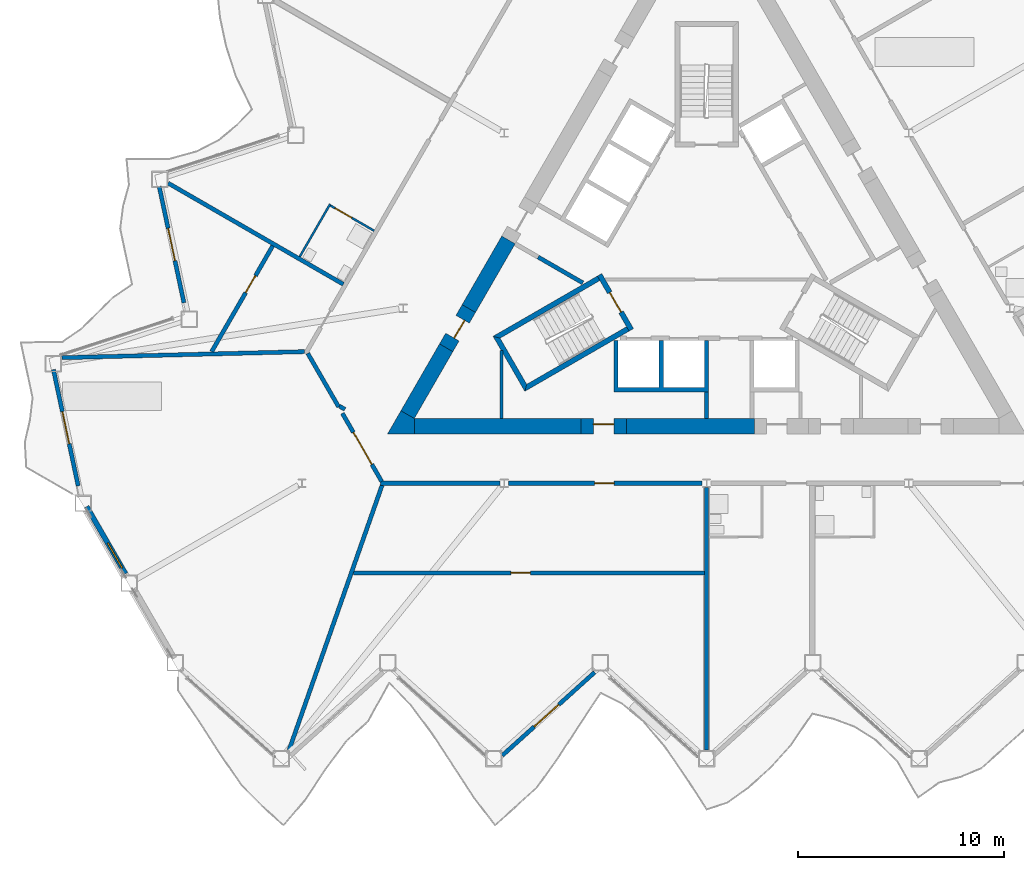
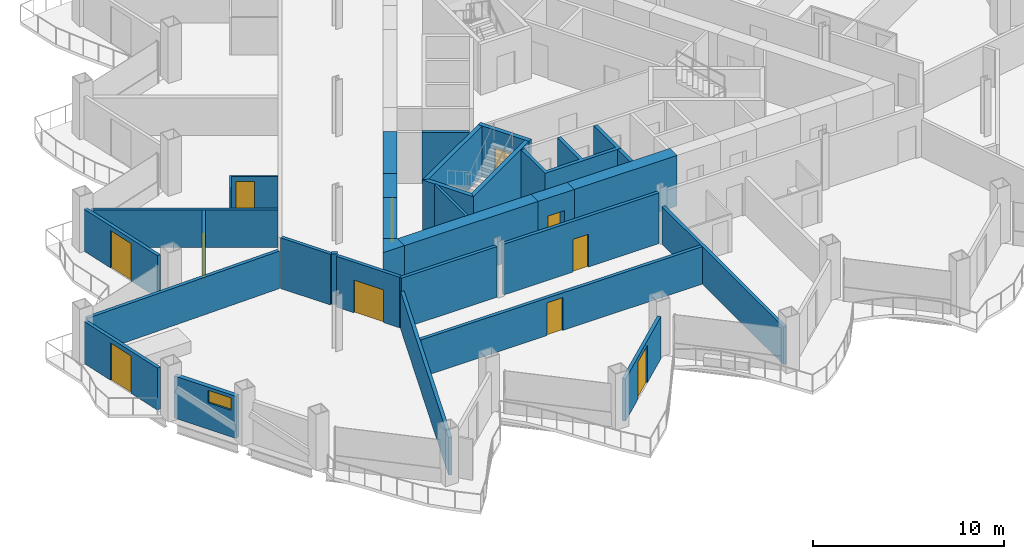
# One storey, part 10 of 22: 32 walls, 11 doors, 1 window, 12 openings.
"""IFC4 building model written with IfcOpenShell, lengths in metres."""

from ifc_helpers import new_model, si_unit, direction, frame, frame_2d, origin, place, context, subcontext, project, spatial, polyline, rectangle, outline, extrude, material, layer, layer_set, type_object, element, fill, save


model = new_model("IFC4")

# Units and contexts
model_context = context("Model", 3, precision=1e-05, world=origin(), true_north=direction((0.0, 1.0)))
body_context = subcontext(model_context, "Body", "Model", "MODEL_VIEW")
ifc_project = project(units=[si_unit("LENGTHUNIT", "METRE"), si_unit("AREAUNIT", "SQUARE_METRE"), si_unit("VOLUMEUNIT", "CUBIC_METRE"), si_unit("PLANEANGLEUNIT", "RADIAN"), si_unit("MASSUNIT", "GRAM", prefix="KILO")], contexts=[model_context])

# Site, building, storey
site_placement = place(None, origin())
site = spatial("IfcSite", under=ifc_project, at=site_placement, CompositionType="ELEMENT")
building_placement = place(site_placement, origin())
building = spatial("IfcBuilding", under=site, at=building_placement, Name="Cormorant Prow Tower", CompositionType="ELEMENT")
storey_placement = place(building_placement, frame((0.0, 0.0, 194.39990234375)))
storey = spatial("IfcBuildingStorey", under=building, at=storey_placement, Name="L42", CompositionType="ELEMENT", Elevation=194.39990234375)

# Walls
ifc_material_1 = material(Name="Gypsum board partition")
ifc_layer_1 = layer(ifc_material_1, 0.14990234375)
ifc_layer_set_1 = layer_set([ifc_layer_1], Name="Gypsum board partition")
wall_type_1 = type_object("IfcWallType", Name="Core partition 150", PredefinedType="PARTITIONING", material=ifc_layer_set_1)
wall_1_placement = place(storey_placement, frame((-9.970703125, -8.198974609375, 0.0), z_axis=(0.0, 0.0, 1.0), x_axis=(0.0, 1.0, 0.0)))
element("IfcWall", 1, at=wall_1_placement, inside=storey, type_object=wall_type_1, Name="Service room partition", PredefinedType="PARTITIONING", context=body_context, shape_type="SweptSolid", body=[
    extrude(rectangle(XDim=3.304931640625, YDim=0.14990234375, at=frame_2d((1.65234375, 0.0))), origin(), (0.0, 0.0, 1.0), 3.25),
])
ifc_material_2 = material(Name="Concrete 8000 psi", Category="concrete")
ifc_layer_2 = layer(ifc_material_2, 0.75)
ifc_layer_set_2 = layer_set([ifc_layer_2], Name="Concrete 8000 psi")
wall_type_2 = type_object("IfcWallType", Name="Core shear wall 750", PredefinedType="SHEAR", material=ifc_layer_set_2)
wall_2_placement = place(storey_placement, frame((-14.200927734375, -8.573974609375, 0.0), z_axis=(0.0, 0.0, 1.0), x_axis=(1.0, 0.0, 0.0)))
element("IfcWall", 2, at=wall_2_placement, inside=storey, type_object=wall_type_2, Name="Core wall", PredefinedType="SHEAR", context=body_context, shape_type="SweptSolid", body=[
    extrude(rectangle(XDim=8.10302734375, YDim=0.75, at=frame_2d((4.051513671875, 0.0))), origin(), (0.0, 0.0, 1.0), 3.25),
])
wall_3_placement = place(storey_placement, frame((-3.897705078125, -8.573974609375, 0.0), z_axis=(0.0, 0.0, 1.0), x_axis=(1.0, 0.0, 0.0)))
element("IfcWall", 3, at=wall_3_placement, inside=storey, type_object=wall_type_2, Name="Core wall", PredefinedType="SHEAR", context=body_context, shape_type="SweptSolid", body=[
    extrude(rectangle(XDim=6.2177734375, YDim=0.75, at=frame_2d((3.10888671875, 0.0))), origin(), (0.0, 0.0, 1.0), 3.25),
])
wall_4_placement = place(storey_placement, frame((-9.625244140625, 0.4765625, 0.0), z_axis=(0.0, 0.0, 1.0), x_axis=(-0.499951145694, -0.866053607994, 0.0)))
element("IfcWall", 4, at=wall_4_placement, inside=storey, type_object=wall_type_2, Name="Core wall", PredefinedType="SHEAR", context=body_context, shape_type="SweptSolid", body=[
    extrude(rectangle(XDim=3.8505859375, YDim=0.75, at=frame_2d((1.92529296875, 0.0))), origin(), (0.0, 0.0, 1.0), 3.25),
])
wall_5_placement = place(storey_placement, frame((-12.650390625, -4.763427734375, 0.0), z_axis=(0.0, 0.0, 1.0), x_axis=(-0.499996681051, -0.866027319972, 0.0)))
element("IfcWall", 5, at=wall_5_placement, inside=storey, type_object=wall_type_2, Name="Core wall", PredefinedType="SHEAR", context=body_context, shape_type="SweptSolid", body=[
    extrude(rectangle(XDim=3.75048828125, YDim=0.75, at=frame_2d((1.875244140625, 0.0))), origin(), (0.0, 0.0, 1.0), 3.25),
])
wall_6_placement = place(storey_placement, origin())
element("IfcWall", 6, at=wall_6_placement, inside=storey, type_object=wall_type_2, Name="Core wall corner", PredefinedType="SHEAR", context=body_context, shape_type="SweptSolid", body=[
    extrude(outline(polyline([(-14.8505859375, -7.823974609375), (-14.200927734375, -8.198974609375), (-14.200927734375, -8.948974609375), (-15.5, -8.948974609375), (-14.8505859375, -7.823974609375)])), origin(), (0.0, 0.0, 1.0), 3.25),
])

# Wall, opening, door
wall_7_placement = place(storey_placement, frame((-6.097900390625, -8.573974609375, 0.0), z_axis=(0.0, 0.0, 1.0), x_axis=(1.0, 0.0, 0.0)))
wall_7 = element("IfcWall", 7, at=wall_7_placement, inside=storey, type_object=wall_type_2, Name="Core wall door panel", PredefinedType="SHEAR", context=body_context, shape_type="SweptSolid", body=[
    extrude(rectangle(XDim=2.2001953125, YDim=0.75, at=frame_2d((1.10009765625, 0.0))), origin(), (0.0, 0.0, 1.0), 3.25),
])
opening_1_placement = place(wall_7_placement, frame((0.60009765625, 0.0, 0.0)))
opening_1 = element("IfcOpeningElement", 8, at=opening_1_placement, cuts=wall_7, Name="Opening L42-C14", PredefinedType="OPENING", context=body_context, shape_type="SweptSolid", body=[
    extrude(rectangle(XDim=1.0, YDim=2.10009765625, at=frame_2d((0.5, 1.050048828125))), frame((0.0, 0.385009765625, 0.0), z_axis=(0.0, -1.0, 0.0), x_axis=(1.0, 0.0, 0.0)), (0.0, 0.0, 1.0), 0.77001953125),
])
ifc_material_3 = material(Name="Painted steel", Category="steel")
door_type_1 = type_object("IfcDoorType", Name="Service door 1000x2100", OperationType="NOTDEFINED", PredefinedType="DOOR", material=ifc_material_3)
door_1_placement = place(opening_1_placement, origin())
door_1 = element("IfcDoor", 9, at=door_1_placement, inside=storey, type_object=door_type_1, Name="Core door, Pantry store", OperationType="SINGLE_SWING_LEFT", OverallHeight=2.10009765625, OverallWidth=1.0, PredefinedType="DOOR", context=body_context, shape_type="SweptSolid", body=[
    extrude(rectangle(XDim=1.0, YDim=2.10009765625, at=frame_2d((0.5, 1.050048828125))), frame((0.0, 0.1298828125, 0.0), z_axis=(0.0, -1.0, 0.0), x_axis=(1.0, 0.0, 0.0)), (0.0, 0.0, 1.0), 0.050048828125),
])
fill(opening_1, door_1)

wall_8_placement = place(storey_placement, frame((-11.550537109375, -2.858154296875, 0.0), z_axis=(0.0, 0.0, 1.0), x_axis=(-0.499946605688, -0.86605622881, 0.0)))
wall_8 = element("IfcWall", 10, at=wall_8_placement, inside=storey, type_object=wall_type_2, Name="Core wall door panel", PredefinedType="SHEAR", context=body_context, shape_type="SweptSolid", body=[
    extrude(rectangle(XDim=2.199951171875, YDim=0.75, at=frame_2d((1.10009765625, 0.0))), origin(), (0.0, 0.0, 1.0), 3.25),
])
opening_2_placement = place(wall_8_placement, frame((0.60009765625, 0.0, 0.0)))
opening_2 = element("IfcOpeningElement", 11, at=opening_2_placement, cuts=wall_8, Name="Opening L42-C17", PredefinedType="OPENING", context=body_context, shape_type="SweptSolid", body=[
    extrude(rectangle(XDim=1.0, YDim=2.10009765625, at=frame_2d((0.5, 1.050048828125))), frame((0.0, 0.385009765625, 0.0), z_axis=(0.0, -1.0, 0.0), x_axis=(1.0, 0.0, 0.0)), (0.0, 0.0, 1.0), 0.77001953125),
])
door_2_placement = place(opening_2_placement, origin())
door_2 = element("IfcDoor", 12, at=door_2_placement, inside=storey, type_object=door_type_1, Name="Core door, Telecom room", OperationType="SINGLE_SWING_LEFT", OverallHeight=2.10009765625, OverallWidth=1.0, PredefinedType="DOOR", context=body_context, shape_type="SweptSolid", body=[
    extrude(rectangle(XDim=1.0, YDim=2.10009765625, at=frame_2d((0.5, 1.050048828125))), frame((0.0, 0.1298828125, 0.0), z_axis=(0.0, -1.0, 0.0), x_axis=(1.0, 0.0, 0.0)), (0.0, 0.0, 1.0), 0.050048828125),
])
fill(opening_2, door_2)

ifc_material_4 = material(Name="Gypsum board corridor wall")
ifc_layer_3 = layer(ifc_material_4, 0.199951171875)
ifc_layer_set_3 = layer_set([ifc_layer_3], Name="Gypsum board corridor wall")
wall_type_3 = type_object("IfcWallType", Name="Corridor wall 200", PredefinedType="PARTITIONING", material=ifc_layer_set_3)
wall_9_placement = place(storey_placement, frame((-9.61474609375, -11.348876953125, 0.0), z_axis=(0.0, 0.0, 1.0), x_axis=(1.0, 0.0, 0.0)))
wall_9 = element("IfcWall", 13, at=wall_9_placement, inside=storey, type_object=wall_type_3, Name="Corridor wall", PredefinedType="PARTITIONING", context=body_context, shape_type="SweptSolid", body=[
    extrude(rectangle(XDim=9.401123046875, YDim=0.199951171875, at=frame_2d((4.70068359375, 0.0))), origin(), (0.0, 0.0, 1.0), 3.25),
])
opening_3_placement = place(wall_9_placement, frame((4.17529296875, 0.0, 0.0)))
opening_3 = element("IfcOpeningElement", 14, at=opening_3_placement, cuts=wall_9, Name="Opening L42-F01", PredefinedType="OPENING", context=body_context, shape_type="SweptSolid", body=[
    extrude(rectangle(XDim=0.949951171875, YDim=2.10009765625, at=frame_2d((0.47509765625, 1.050048828125))), frame((0.0, 0.10986328125, 0.0), z_axis=(0.0, -1.0, 0.0), x_axis=(1.0, 0.0, 0.0)), (0.0, 0.0, 1.0), 0.219970703125),
])
ifc_material_5 = material(Name="Timber door leaf", Category="wood")
door_type_2 = type_object("IfcDoorType", Name="Store door 950x2100", OperationType="NOTDEFINED", PredefinedType="DOOR", material=ifc_material_5)
door_3_placement = place(opening_3_placement, origin())
door_3 = element("IfcDoor", 15, at=door_3_placement, inside=storey, type_object=door_type_2, Name="Housekeeping room door", OperationType="SINGLE_SWING_LEFT", OverallHeight=2.10009765625, OverallWidth=0.949951171875, PredefinedType="DOOR", context=body_context, shape_type="SweptSolid", body=[
    extrude(rectangle(XDim=0.949951171875, YDim=2.10009765625, at=frame_2d((0.47509765625, 1.050048828125))), frame((0.0, 0.02490234375, 0.0), z_axis=(0.0, -1.0, 0.0), x_axis=(1.0, 0.0, 0.0)), (0.0, 0.0, 1.0), 0.050048828125),
])
fill(opening_3, door_3)

# Wall
wall_10_placement = place(storey_placement, frame((-15.830810546875, -11.348876953125, 0.0), z_axis=(0.0, 0.0, 1.0), x_axis=(1.0, 0.0, 0.0)))
element("IfcWall", 16, at=wall_10_placement, inside=storey, type_object=wall_type_3, Name="Corridor wall", PredefinedType="PARTITIONING", context=body_context, shape_type="SweptSolid", body=[
    extrude(rectangle(XDim=5.78857421875, YDim=0.199951171875, at=frame_2d((2.894287109375, 0.0))), origin(), (0.0, 0.0, 1.0), 3.25),
])

# Wall, opening, door
wall_11_placement = place(storey_placement, frame((-17.69384765625, -7.948974609375, 0.0), z_axis=(0.0, 0.0, 1.0), x_axis=(0.499989446428, -0.866031496806, 0.0)))
wall_11 = element("IfcWall", 17, at=wall_11_placement, inside=storey, type_object=wall_type_3, Name="Corridor wall", PredefinedType="PARTITIONING", context=body_context, shape_type="SweptSolid", body=[
    extrude(rectangle(XDim=3.82568359375, YDim=0.199951171875, at=frame_2d((1.912841796875, 0.0))), origin(), (0.0, 0.0, 1.0), 3.25),
])
opening_4_placement = place(wall_11_placement, frame((1.06396484375, 0.0, 0.0)))
opening_4 = element("IfcOpeningElement", 18, at=opening_4_placement, cuts=wall_11, Name="Opening L42-F28", PredefinedType="OPENING", context=body_context, shape_type="SweptSolid", body=[
    extrude(rectangle(XDim=1.800048828125, YDim=2.10009765625, at=frame_2d((0.89990234375, 1.050048828125))), frame((0.0, 0.10986328125, 0.0), z_axis=(0.0, -1.0, 0.0), x_axis=(1.0, 0.0, 0.0)), (0.0, 0.0, 1.0), 0.219970703125),
])
ifc_material_6 = material(Name="Timber door leaf", Category="wood")
door_type_3 = type_object("IfcDoorType", Name="Double door 1800x2100", OperationType="DOUBLE_DOOR_SINGLE_SWING", PredefinedType="DOOR", material=ifc_material_6)
door_4_placement = place(opening_4_placement, origin())
door_4 = element("IfcDoor", 19, at=door_4_placement, inside=storey, type_object=door_type_3, Name="Co-working space door", OperationType="DOUBLE_DOOR_SINGLE_SWING", OverallHeight=2.10009765625, OverallWidth=1.800048828125, PredefinedType="DOOR", context=body_context, shape_type="SweptSolid", body=[
    extrude(rectangle(XDim=1.800048828125, YDim=2.10009765625, at=frame_2d((0.89990234375, 1.050048828125))), frame((0.0, 0.02490234375, 0.0), z_axis=(0.0, -1.0, 0.0), x_axis=(1.0, 0.0, 0.0)), (0.0, 0.0, 1.0), 0.050048828125),
])
fill(opening_4, door_4)

# Walls
wall_12_placement = place(storey_placement, frame((-19.3759765625, -5.035400390625, 0.0), z_axis=(0.0, 0.0, 1.0), x_axis=(0.499952404951, -0.866052881055, 0.0)))
element("IfcWall", 20, at=wall_12_placement, inside=storey, type_object=wall_type_3, Name="Corridor wall", PredefinedType="PARTITIONING", context=body_context, shape_type="SweptSolid", body=[
    extrude(rectangle(XDim=3.002197265625, YDim=0.199951171875, at=frame_2d((1.5009765625, 0.0))), origin(), (0.0, 0.0, 1.0), 3.25),
])
wall_13_placement = place(storey_placement, frame((-17.83837890625, -7.598876953125, 0.0), z_axis=(0.0, 0.0, 1.0), x_axis=(0.866054481515, -0.499949632511, 0.0)))
element("IfcWall", 21, at=wall_13_placement, inside=storey, type_object=wall_type_3, Name="Corridor wall", PredefinedType="PARTITIONING", context=body_context, shape_type="SweptSolid", body=[
    extrude(rectangle(XDim=0.31005859375, YDim=0.199951171875, at=frame_2d((0.155029296875, 0.0))), origin(), (0.0, 0.0, 1.0), 3.25),
])

# Wall, opening, door
ifc_material_7 = material(Name="Gypsum board demising wall")
ifc_layer_4 = layer(ifc_material_7, 0.199951171875)
ifc_layer_set_4 = layer_set([ifc_layer_4], Name="Gypsum board demising wall")
wall_type_4 = type_object("IfcWallType", Name="Demising wall 200", PredefinedType="PARTITIONING", material=ifc_layer_set_4)
wall_14_placement = place(storey_placement, frame((-17.1591796875, -15.698974609375, 0.0), z_axis=(0.0, 0.0, 1.0), x_axis=(1.0, 0.0, 0.0)))
wall_14 = element("IfcWall", 22, at=wall_14_placement, inside=storey, type_object=wall_type_4, Name="Demising wall", PredefinedType="PARTITIONING", context=body_context, shape_type="SweptSolid", body=[
    extrude(rectangle(XDim=17.05908203125, YDim=0.199951171875, at=frame_2d((8.529541015625, 0.0))), origin(), (0.0, 0.0, 1.0), 2.404296875),
])
opening_5_placement = place(wall_14_placement, frame((7.654541015625, 0.0, 0.0)))
opening_5 = element("IfcOpeningElement", 23, at=opening_5_placement, cuts=wall_14, Name="Opening L42-F02", PredefinedType="OPENING", context=body_context, shape_type="SweptSolid", body=[
    extrude(rectangle(XDim=0.949951171875, YDim=2.10009765625, at=frame_2d((0.47509765625, 1.050048828125))), frame((0.0, 0.10986328125, 0.0), z_axis=(0.0, -1.0, 0.0), x_axis=(1.0, 0.0, 0.0)), (0.0, 0.0, 1.0), 0.219970703125),
])
door_5_placement = place(opening_5_placement, origin())
door_5 = element("IfcDoor", 24, at=door_5_placement, inside=storey, type_object=door_type_2, Name="Linen store door", OperationType="SINGLE_SWING_LEFT", OverallHeight=2.10009765625, OverallWidth=0.949951171875, PredefinedType="DOOR", context=body_context, shape_type="SweptSolid", body=[
    extrude(rectangle(XDim=0.949951171875, YDim=2.10009765625, at=frame_2d((0.47509765625, 1.050048828125))), frame((0.0, 0.02490234375, 0.0), z_axis=(0.0, -1.0, 0.0), x_axis=(1.0, 0.0, 0.0)), (0.0, 0.0, 1.0), 0.050048828125),
])
fill(opening_5, door_5)

# Walls
wall_15_placement = place(storey_placement, frame((-20.28564453125, -24.3115234375, 0.0), z_axis=(0.0, 0.0, 1.0), x_axis=(0.331517429591, 0.943449094481, 0.0)))
element("IfcWall", 25, at=wall_15_placement, inside=storey, type_object=wall_type_4, Name="Demising wall", PredefinedType="PARTITIONING", context=body_context, shape_type="SweptSolid", body=[
    extrude(rectangle(XDim=13.639404296875, YDim=0.199951171875, at=frame_2d((6.81982421875, 0.0))), origin(), (0.0, 0.0, 1.0), 2.404296875),
])
wall_16_placement = place(storey_placement, frame((0.0, -24.3115234375, 0.0), z_axis=(0.0, 0.0, 1.0), x_axis=(0.0, 1.0, 0.0)))
element("IfcWall", 26, at=wall_16_placement, inside=storey, type_object=wall_type_4, Name="Demising wall", PredefinedType="PARTITIONING", context=body_context, shape_type="SweptSolid", body=[
    extrude(rectangle(XDim=12.7490234375, YDim=0.199951171875, at=frame_2d((6.37451171875, 0.0))), origin(), (0.0, 0.0, 1.0), 2.404296875),
])
wall_17_placement = place(storey_placement, frame((-31.3291015625, -5.245849609375, 0.0), z_axis=(0.0, 0.0, 1.0), x_axis=(0.999689013957, 0.024937429174, 0.0)))
element("IfcWall", 27, at=wall_17_placement, inside=storey, type_object=wall_type_4, Name="Demising wall", PredefinedType="PARTITIONING", context=body_context, shape_type="SweptSolid", body=[
    extrude(rectangle(XDim=11.806884765625, YDim=0.199951171875, at=frame_2d((5.9033203125, 0.0))), origin(), (0.0, 0.0, 1.0), 2.404296875),
])
wall_18_placement = place(storey_placement, frame((-26.164306640625, 3.239013671875, 0.0), z_axis=(0.0, 0.0, 1.0), x_axis=(0.866025932773, -0.499999083763, 0.0)))
element("IfcWall", 28, at=wall_18_placement, inside=storey, type_object=wall_type_4, Name="Demising wall", PredefinedType="PARTITIONING", context=body_context, shape_type="SweptSolid", body=[
    extrude(rectangle(XDim=9.82958984375, YDim=0.199951171875, at=frame_2d((4.914794921875, 0.0))), origin(), (0.0, 0.0, 1.0), 2.404296875),
])

# Wall, opening, door
wall_19_placement = place(storey_placement, frame((-24.044921875, -4.948974609375, 0.0), z_axis=(0.0, 0.0, 1.0), x_axis=(0.500016988964, 0.866015594979, 0.0)))
wall_19 = element("IfcWall", 29, at=wall_19_placement, inside=storey, type_object=wall_type_4, Name="Demising wall", PredefinedType="PARTITIONING", context=body_context, shape_type="SweptSolid", body=[
    extrude(rectangle(XDim=5.931396484375, YDim=0.199951171875, at=frame_2d((2.9658203125, 0.0))), origin(), (0.0, 0.0, 1.0), 2.404296875),
])
opening_6_placement = place(wall_19_placement, frame((3.305419921875, 0.0, 0.0)))
opening_6 = element("IfcOpeningElement", 30, at=opening_6_placement, cuts=wall_19, Name="Opening L42-F27", PredefinedType="OPENING", context=body_context, shape_type="SweptSolid", body=[
    extrude(rectangle(XDim=0.949951171875, YDim=2.10009765625, at=frame_2d((0.47509765625, 1.050048828125))), frame((0.0, 0.10986328125, 0.0), z_axis=(0.0, -1.0, 0.0), x_axis=(1.0, 0.0, 0.0)), (0.0, 0.0, 1.0), 0.219970703125),
])
door_6_placement = place(opening_6_placement, origin())
door_6 = element("IfcDoor", 31, at=door_6_placement, inside=storey, type_object=door_type_2, Name="Service store door", OperationType="SINGLE_SWING_LEFT", OverallHeight=2.10009765625, OverallWidth=0.949951171875, PredefinedType="DOOR", context=body_context, shape_type="SweptSolid", body=[
    extrude(rectangle(XDim=0.949951171875, YDim=2.10009765625, at=frame_2d((0.47509765625, 1.050048828125))), frame((0.0, 0.02490234375, 0.0), z_axis=(0.0, -1.0, 0.0), x_axis=(1.0, 0.0, 0.0)), (0.0, 0.0, 1.0), 0.050048828125),
])
fill(opening_6, door_6)

# Wall
ifc_material_8 = material(Name="Gypsum board partition")
ifc_layer_5 = layer(ifc_material_8, 0.10009765625)
ifc_layer_set_5 = layer_set([ifc_layer_5], Name="Gypsum board partition")
wall_type_5 = type_object("IfcWallType", Name="Internal partition 100", PredefinedType="PARTITIONING", material=ifc_layer_set_5)
wall_20_placement = place(storey_placement, frame((-19.7666015625, -0.339111328125, 0.0), z_axis=(0.0, 0.0, 1.0), x_axis=(0.499939757307, 0.866060182126, 0.0)))
element("IfcWall", 32, at=wall_20_placement, inside=storey, type_object=wall_type_5, Name="Internal partition", PredefinedType="PARTITIONING", context=body_context, shape_type="SweptSolid", body=[
    extrude(rectangle(XDim=2.949951171875, YDim=0.10009765625, at=frame_2d((1.47509765625, 0.0))), origin(), (0.0, 0.0, 1.0), 2.404296875),
])

# Wall, opening, door
wall_21_placement = place(storey_placement, frame((-18.2734375, 2.1474609375, 0.0), z_axis=(0.0, 0.0, 1.0), x_axis=(0.866014668023, -0.500018594424, 0.0)))
wall_21 = element("IfcWall", 33, at=wall_21_placement, inside=storey, type_object=wall_type_5, Name="Internal partition", PredefinedType="PARTITIONING", context=body_context, shape_type="SweptSolid", body=[
    extrude(rectangle(XDim=2.4501953125, YDim=0.10009765625, at=frame_2d((1.22509765625, 0.0))), origin(), (0.0, 0.0, 1.0), 2.404296875),
])
opening_7_placement = place(wall_21_placement, frame((0.25, 0.0, 0.0)))
opening_7 = element("IfcOpeningElement", 34, at=opening_7_placement, cuts=wall_21, Name="Opening L42-F25", PredefinedType="OPENING", context=body_context, shape_type="SweptSolid", body=[
    extrude(rectangle(XDim=0.949951171875, YDim=2.10009765625, at=frame_2d((0.47509765625, 1.050048828125))), frame((0.0, 0.06005859375, 0.0), z_axis=(0.0, -1.0, 0.0), x_axis=(1.0, 0.0, 0.0)), (0.0, 0.0, 1.0), 0.1201171875),
])
ifc_material_9 = material(Name="Timber door leaf", Category="wood")
door_type_4 = type_object("IfcDoorType", Name="Bathroom door 950x2100", OperationType="NOTDEFINED", PredefinedType="DOOR", material=ifc_material_9)
door_7_placement = place(opening_7_placement, origin())
door_7 = element("IfcDoor", 35, at=door_7_placement, inside=storey, type_object=door_type_4, Name="Junior suite door", OperationType="SINGLE_SWING_LEFT", OverallHeight=2.10009765625, OverallWidth=0.949951171875, PredefinedType="DOOR", context=body_context, shape_type="SweptSolid", body=[
    extrude(rectangle(XDim=0.949951171875, YDim=2.10009765625, at=frame_2d((0.47509765625, 1.050048828125))), frame((0.0, 0.02490234375, 0.0), z_axis=(0.0, -1.0, 0.0), x_axis=(1.0, 0.0, 0.0)), (0.0, 0.0, 1.0), 0.050048828125),
])
fill(opening_7, door_7)

# Walls
ifc_material_10 = material(Name="Concrete 8000 psi", Category="concrete")
ifc_layer_6 = layer(ifc_material_10, 0.199951171875)
ifc_layer_set_6 = layer_set([ifc_layer_6], Name="Concrete 8000 psi")
wall_type_6 = type_object("IfcWallType", Name="Lift shaft wall 200", PredefinedType="SHEAR", material=ifc_layer_set_6)
wall_22_placement = place(storey_placement, origin())
element("IfcWall", 36, at=wall_22_placement, inside=storey, type_object=wall_type_6, Name="Lift shaft walls, S block", PredefinedType="SHEAR", context=body_context, shape_type="SweptSolid", body=[
    extrude(outline(polyline([(0.10009765625, -4.39990234375), (0.10009765625, -6.906005859375), (-4.5, -6.906005859375), (-4.5, -4.39990234375), (-4.300048828125, -4.39990234375), (-4.300048828125, -6.699951171875), (-2.300048828125, -6.699951171875), (-2.300048828125, -4.39990234375), (-2.10009765625, -4.39990234375), (-2.10009765625, -6.699951171875), (-0.10009765625, -6.699951171875), (-0.10009765625, -4.39990234375), (0.10009765625, -4.39990234375)])), origin(), (0.0, 0.0, 1.0), 3.25),
])
wall_23_placement = place(storey_placement, frame((0.0, -6.906005859375, 0.0), z_axis=(0.0, 0.0, 1.0), x_axis=(0.0, -1.0, 0.0)))
element("IfcWall", 37, at=wall_23_placement, inside=storey, type_object=wall_type_6, Name="Store side wall", PredefinedType="SHEAR", context=body_context, shape_type="SweptSolid", body=[
    extrude(rectangle(XDim=1.29296875, YDim=0.199951171875, at=frame_2d((0.646484375, 0.0))), origin(), (0.0, 0.0, 1.0), 3.25),
])
wall_24_placement = place(storey_placement, origin())
element("IfcWall", 38, at=wall_24_placement, inside=storey, type_object=wall_type_6, Name="Lift shaft walls, WNW block", PredefinedType="SHEAR", context=body_context, shape_type="SweptSolid", body=[
    extrude(outline(polyline([(-6.060546875, -1.697021484375), (-8.230712890625, -0.444091796875), (-8.130859375, -0.27099609375), (-5.96044921875, -1.52392578125), (-6.060546875, -1.697021484375)])), origin(), (0.0, 0.0, 1.0), 3.25),
])
ifc_material_11 = material(Name="Concrete 8000 psi", Category="concrete")
ifc_layer_7 = layer(ifc_material_11, 0.25)
ifc_layer_set_7 = layer_set([ifc_layer_7], Name="Concrete 8000 psi")
wall_type_7 = type_object("IfcWallType", Name="Stair wall 250", PredefinedType="SHEAR", material=ifc_layer_set_7)
wall_25_placement = place(storey_placement, origin())
element("IfcWall", 39, at=wall_25_placement, inside=storey, type_object=wall_type_7, Name="Stair ST1 enclosure wall (flank)", PredefinedType="SHEAR", context=body_context, shape_type="SweptSolid", body=[
    extrude(outline(polyline([(-5.30712890625, -1.28125), (-10.37353515625, -4.206298828125), (-10.031982421875, -4.2978515625), (-5.18212890625, -1.497802734375), (-5.30712890625, -1.28125)])), origin(), (0.0, 0.0, 1.0), 3.25),
])
wall_26_placement = place(storey_placement, origin())
element("IfcWall", 40, at=wall_26_placement, inside=storey, type_object=wall_type_7, Name="Stair ST1 enclosure wall (end)", PredefinedType="SHEAR", context=body_context, shape_type="SweptSolid", body=[
    extrude(outline(polyline([(-10.37353515625, -4.206298828125), (-8.82958984375, -6.880615234375), (-8.738037109375, -6.5390625), (-10.031982421875, -4.2978515625), (-10.37353515625, -4.206298828125)])), origin(), (0.0, 0.0, 1.0), 3.25),
])
wall_27_placement = place(storey_placement, origin())
element("IfcWall", 41, at=wall_27_placement, inside=storey, type_object=wall_type_7, Name="Stair ST1 enclosure wall (flank)", PredefinedType="SHEAR", context=body_context, shape_type="SweptSolid", body=[
    extrude(outline(polyline([(-8.738037109375, -6.5390625), (-8.82958984375, -6.880615234375), (-3.76318359375, -3.95556640625), (-3.88818359375, -3.739013671875), (-8.738037109375, -6.5390625)])), origin(), (0.0, 0.0, 1.0), 3.25),
])

# Wall, opening, door
wall_28_placement = place(storey_placement, frame((-5.198974609375, -1.21875, 0.0), z_axis=(0.0, 0.0, 1.0), x_axis=(0.499982516597, -0.866035497597, 0.0)))
wall_28 = element("IfcWall", 42, at=wall_28_placement, inside=storey, type_object=wall_type_7, Name="Stair ST1 door wall", PredefinedType="SHEAR", context=body_context, shape_type="SweptSolid", body=[
    extrude(rectangle(XDim=3.087890625, YDim=0.25, at=frame_2d((1.5439453125, 0.0))), origin(), (0.0, 0.0, 1.0), 3.25),
])
opening_8_placement = place(wall_28_placement, frame((0.993896484375, 0.0, 0.0)))
opening_8 = element("IfcOpeningElement", 43, at=opening_8_placement, cuts=wall_28, Name="Opening L42-C10", PredefinedType="OPENING", context=body_context, shape_type="SweptSolid", body=[
    extrude(rectangle(XDim=1.10009765625, YDim=2.10009765625, at=frame_2d((0.550048828125, 1.050048828125))), frame((0.0, 0.135009765625, 0.0), z_axis=(0.0, -1.0, 0.0), x_axis=(1.0, 0.0, 0.0)), (0.0, 0.0, 1.0), 0.27001953125),
])
ifc_material_12 = material(Name="Painted steel", Category="steel")
door_type_5 = type_object("IfcDoorType", Name="Stair door 1100x2100", OperationType="NOTDEFINED", PredefinedType="DOOR", material=ifc_material_12)
door_8_placement = place(opening_8_placement, origin())
door_8 = element("IfcDoor", 44, at=door_8_placement, inside=storey, type_object=door_type_5, Name="Stair ST1 door", OperationType="SINGLE_SWING_LEFT", OverallHeight=2.10009765625, OverallWidth=1.10009765625, PredefinedType="DOOR", context=body_context, shape_type="SweptSolid", body=[
    extrude(rectangle(XDim=1.10009765625, YDim=2.10009765625, at=frame_2d((0.550048828125, 1.050048828125))), frame((0.0, 0.02490234375, 0.0), z_axis=(0.0, -1.0, 0.0), x_axis=(1.0, 0.0, 0.0)), (0.0, 0.0, 1.0), 0.050048828125),
])
fill(opening_8, door_8)

# Wall, opening, window
ifc_material_13 = material(Name="Terracotta", Category="masonry")
ifc_layer_8 = layer(ifc_material_13, 0.25)
ifc_layer_set_8 = layer_set([ifc_layer_8], Name="Terracotta")
wall_type_8 = type_object("IfcWallType", Name="Terracotta bay wall 250", PredefinedType="SOLIDWALL", material=ifc_layer_set_8)
wall_29_placement = place(storey_placement, frame((-30.1201171875, -12.48046875, 0.0), z_axis=(0.0, 0.0, 1.0), x_axis=(0.500034075199, -0.866005729565, 0.0)))
wall_29 = element("IfcWall", 45, at=wall_29_placement, inside=storey, type_object=wall_type_8, Name="Terracotta bay wall WSW00", PredefinedType="SOLIDWALL", context=body_context, shape_type="SweptSolid", body=[
    extrude(rectangle(XDim=3.775146484375, YDim=0.25, at=frame_2d((1.8876953125, 0.0))), origin(), (0.0, 0.0, 1.0), 2.700927734375),
])
opening_9_placement = place(wall_29_placement, frame((2.050048828125, 0.0, 1.699951171875)))
opening_9 = element("IfcOpeningElement", 46, at=opening_9_placement, cuts=wall_29, Name="Opening WN3", PredefinedType="OPENING", context=body_context, shape_type="SweptSolid", body=[
    extrude(rectangle(XDim=1.39990234375, YDim=0.800048828125, at=frame_2d((0.699951171875, 0.39990234375))), frame((0.0, 0.135009765625, 0.0), z_axis=(0.0, -1.0, 0.0), x_axis=(1.0, 0.0, 0.0)), (0.0, 0.0, 1.0), 0.27001953125),
])
ifc_material_14 = material(Name="Aluminium 6063-T6", Category="aluminium")
window_type = type_object("IfcWindowType", Name="Corner bay window 1400x800", PartitioningType="SINGLE_PANEL", PredefinedType="WINDOW", material=ifc_material_14)
window_placement = place(opening_9_placement, origin())
window = element("IfcWindow", 47, at=window_placement, inside=storey, type_object=window_type, Name="Corner bay window WSW00", OverallHeight=0.800048828125, OverallWidth=1.39990234375, PartitioningType="SINGLE_PANEL", PredefinedType="WINDOW", context=body_context, shape_type="SweptSolid", body=[
    extrude(rectangle(XDim=1.39990234375, YDim=0.800048828125, at=frame_2d((0.699951171875, 0.39990234375))), frame((0.0, 0.030029296875, 0.0), z_axis=(0.0, -1.0, 0.0), x_axis=(1.0, 0.0, 0.0)), (0.0, 0.0, 1.0), 0.06005859375),
])
fill(opening_9, window)

# Wall, opening, door
ifc_material_15 = material(Name="Terracotta", Category="masonry")
ifc_layer_9 = layer(ifc_material_15, 0.199951171875)
ifc_layer_set_9 = layer_set([ifc_layer_9], Name="Terracotta")
wall_type_9 = type_object("IfcWallType", Name="Terracotta jamb wall 200", PredefinedType="SOLIDWALL", material=ifc_layer_set_9)
wall_30_placement = place(storey_placement, frame((-9.921875, -24.5712890625, 0.0), z_axis=(0.0, 0.0, 1.0), x_axis=(0.743151394339, 0.669123310827, 0.0)))
wall_30 = element("IfcWall", 48, at=wall_30_placement, inside=storey, type_object=wall_type_9, Name="Terracotta jamb wall S03", PredefinedType="SOLIDWALL", context=body_context, shape_type="SweptSolid", body=[
    extrude(rectangle(XDim=6.03857421875, YDim=0.199951171875, at=frame_2d((3.019287109375, 0.0))), origin(), (0.0, 0.0, 1.0), 2.700927734375),
])
opening_10_placement = place(wall_30_placement, frame((2.08935546875, 0.0, 0.0)))
opening_10 = element("IfcOpeningElement", 49, at=opening_10_placement, cuts=wall_30, Name="Opening ED42.02", PredefinedType="OPENING", context=body_context, shape_type="SweptSolid", body=[
    extrude(rectangle(XDim=1.60009765625, YDim=2.39990234375, at=frame_2d((0.800048828125, 1.199951171875))), frame((0.0, 0.10986328125, 0.0), z_axis=(0.0, -1.0, 0.0), x_axis=(1.0, 0.0, 0.0)), (0.0, 0.0, 1.0), 0.219970703125),
])
ifc_material_16 = material(Name="Aluminium 6063-T6", Category="aluminium")
door_type_6 = type_object("IfcDoorType", Name="Balcony door 1600x2400", OperationType="DOUBLE_DOOR_SINGLE_SWING", PredefinedType="DOOR", material=ifc_material_16)
door_9_placement = place(opening_10_placement, origin())
door_9 = element("IfcDoor", 50, at=door_9_placement, inside=storey, type_object=door_type_6, Name="Balcony door S03 ED42.02", OperationType="DOUBLE_DOOR_SINGLE_SWING", OverallHeight=2.39990234375, OverallWidth=1.60009765625, PredefinedType="DOOR", context=body_context, shape_type="SweptSolid", body=[
    extrude(rectangle(XDim=1.60009765625, YDim=2.39990234375, at=frame_2d((0.800048828125, 1.199951171875))), frame((0.0, 0.02490234375, 0.0), z_axis=(0.0, -1.0, 0.0), x_axis=(1.0, 0.0, 0.0)), (0.0, 0.0, 1.0), 0.050048828125),
])
fill(opening_10, door_9)

wall_31_placement = place(storey_placement, frame((-26.595458984375, 3.077880859375, 0.0), z_axis=(0.0, 0.0, 1.0), x_axis=(0.207907263894, -0.978148541695, 0.0)))
wall_31 = element("IfcWall", 51, at=wall_31_placement, inside=storey, type_object=wall_type_9, Name="Terracotta jamb wall WNW07", PredefinedType="SOLIDWALL", context=body_context, shape_type="SweptSolid", body=[
    extrude(rectangle(XDim=5.778564453125, YDim=0.199951171875, at=frame_2d((2.88916015625, 0.0))), origin(), (0.0, 0.0, 1.0), 2.700927734375),
])
opening_11_placement = place(wall_31_placement, frame((2.08935546875, 0.0, 0.0)))
opening_11 = element("IfcOpeningElement", 52, at=opening_11_placement, cuts=wall_31, Name="Opening ED42.14", PredefinedType="OPENING", context=body_context, shape_type="SweptSolid", body=[
    extrude(rectangle(XDim=1.60009765625, YDim=2.39990234375, at=frame_2d((0.800048828125, 1.199951171875))), frame((0.0, 0.10986328125, 0.0), z_axis=(0.0, -1.0, 0.0), x_axis=(1.0, 0.0, 0.0)), (0.0, 0.0, 1.0), 0.219970703125),
])
door_10_placement = place(opening_11_placement, origin())
door_10 = element("IfcDoor", 53, at=door_10_placement, inside=storey, type_object=door_type_6, Name="Balcony door WNW07 ED42.14", OperationType="DOUBLE_DOOR_SINGLE_SWING", OverallHeight=2.39990234375, OverallWidth=1.60009765625, PredefinedType="DOOR", context=body_context, shape_type="SweptSolid", body=[
    extrude(rectangle(XDim=1.60009765625, YDim=2.39990234375, at=frame_2d((0.800048828125, 1.199951171875))), frame((0.0, 0.02490234375, 0.0), z_axis=(0.0, -1.0, 0.0), x_axis=(1.0, 0.0, 0.0)), (0.0, 0.0, 1.0), 0.050048828125),
])
fill(opening_11, door_10)

wall_32_placement = place(storey_placement, frame((-31.734130859375, -5.822265625, 0.0), z_axis=(0.0, 0.0, 1.0), x_axis=(0.207907263894, -0.978148541695, 0.0)))
wall_32 = element("IfcWall", 54, at=wall_32_placement, inside=storey, type_object=wall_type_9, Name="Terracotta jamb wall WNW09", PredefinedType="SOLIDWALL", context=body_context, shape_type="SweptSolid", body=[
    extrude(rectangle(XDim=5.778564453125, YDim=0.199951171875, at=frame_2d((2.88916015625, 0.0))), origin(), (0.0, 0.0, 1.0), 2.700927734375),
])
opening_12_placement = place(wall_32_placement, frame((2.08935546875, 0.0, 0.0)))
opening_12 = element("IfcOpeningElement", 55, at=opening_12_placement, cuts=wall_32, Name="Opening ED42.15", PredefinedType="OPENING", context=body_context, shape_type="SweptSolid", body=[
    extrude(rectangle(XDim=1.60009765625, YDim=2.39990234375, at=frame_2d((0.800048828125, 1.199951171875))), frame((0.0, 0.10986328125, 0.0), z_axis=(0.0, -1.0, 0.0), x_axis=(1.0, 0.0, 0.0)), (0.0, 0.0, 1.0), 0.219970703125),
])
door_11_placement = place(opening_12_placement, origin())
door_11 = element("IfcDoor", 56, at=door_11_placement, inside=storey, type_object=door_type_6, Name="Balcony door WNW09 ED42.15", OperationType="DOUBLE_DOOR_SINGLE_SWING", OverallHeight=2.39990234375, OverallWidth=1.60009765625, PredefinedType="DOOR", context=body_context, shape_type="SweptSolid", body=[
    extrude(rectangle(XDim=1.60009765625, YDim=2.39990234375, at=frame_2d((0.800048828125, 1.199951171875))), frame((0.0, 0.02490234375, 0.0), z_axis=(0.0, -1.0, 0.0), x_axis=(1.0, 0.0, 0.0)), (0.0, 0.0, 1.0), 0.050048828125),
])
fill(opening_12, door_11)

save(model, "model.ifc")
